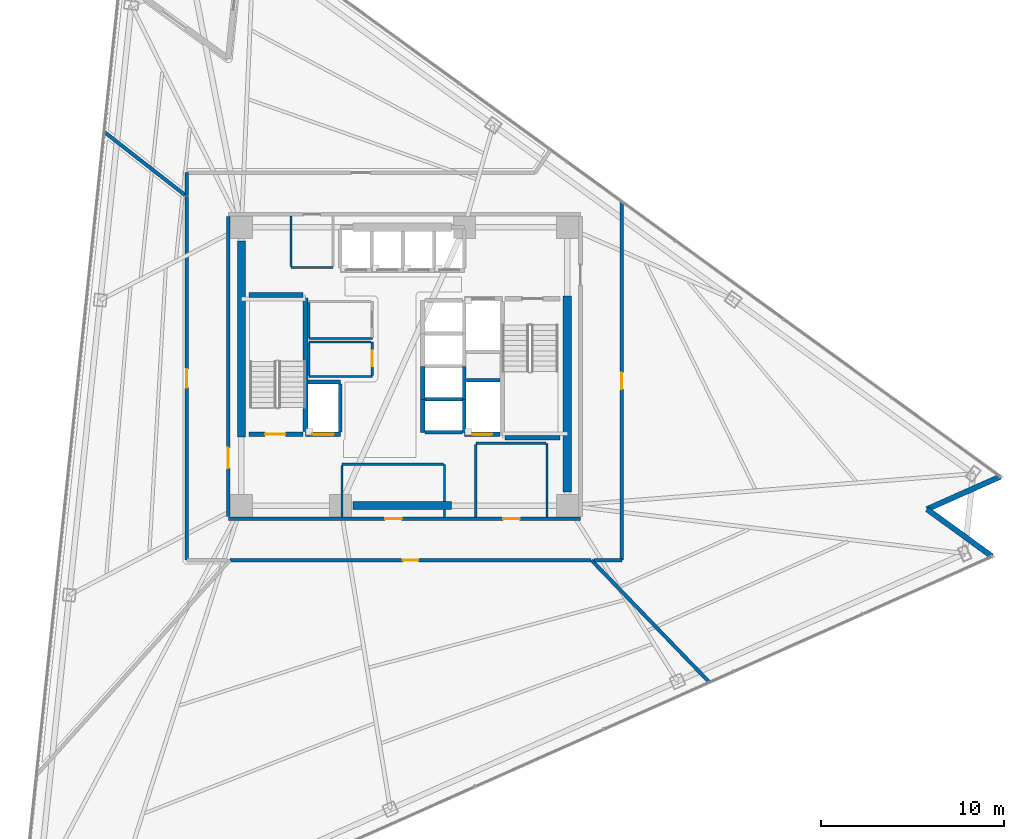
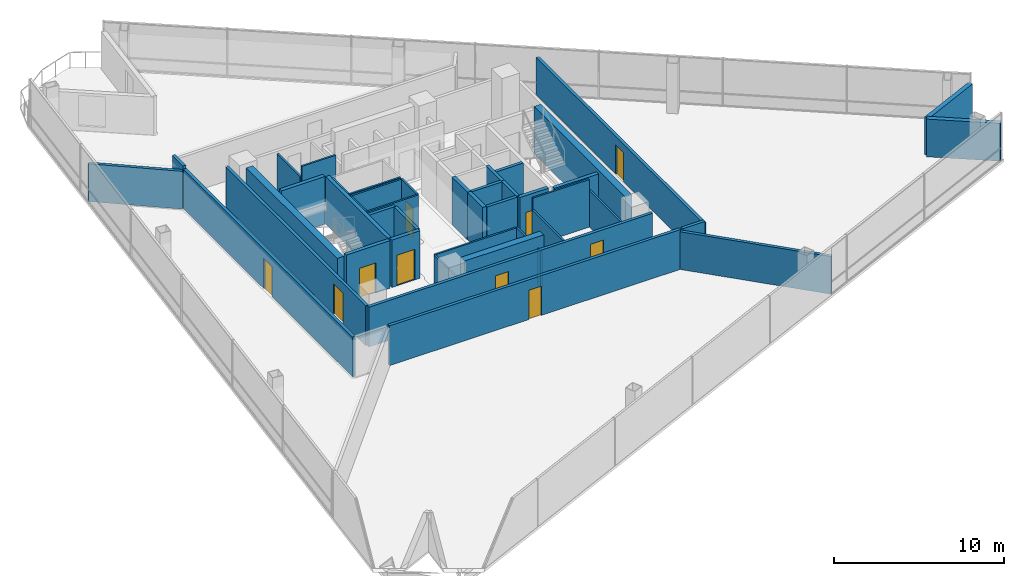
# One storey, part 11 of 16: 44 walls, 10 doors, 10 openings.
"""IFC4 building model written with IfcOpenShell, lengths in metres."""

from ifc_helpers import new_model, si_unit, direction, frame, frame_2d, origin, place, context, subcontext, project, spatial, rectangle, extrude, material, layer, layer_set, type_object, element, fill, save


model = new_model("IFC4")

# Units and contexts
model_context = context("Model", 3, precision=1e-05, world=origin(), true_north=direction((0.0, 1.0)))
body_context = subcontext(model_context, "Body", "Model", "MODEL_VIEW")
ifc_project = project(units=[si_unit("LENGTHUNIT", "METRE"), si_unit("AREAUNIT", "SQUARE_METRE"), si_unit("VOLUMEUNIT", "CUBIC_METRE"), si_unit("PLANEANGLEUNIT", "RADIAN"), si_unit("MASSUNIT", "GRAM", prefix="KILO")], contexts=[model_context])

# Site, building, storey
site_placement = place(None, origin())
site = spatial("IfcSite", under=ifc_project, at=site_placement, CompositionType="ELEMENT")
building_placement = place(site_placement, origin())
building = spatial("IfcBuilding", under=site, at=building_placement, Name="Tharavind Bronze Gate", CompositionType="ELEMENT")
storey_placement = place(building_placement, frame((0.0, 0.0, 123.25)))
storey = spatial("IfcBuildingStorey", under=building, at=storey_placement, Name="L31", CompositionType="ELEMENT", Elevation=123.25)

# Walls
ifc_material_1 = material(Name="Concrete C40/50", Category="concrete")
ifc_layer_1 = layer(ifc_material_1, 0.300048828125)
ifc_layer_set_1 = layer_set([ifc_layer_1], Name="Concrete C40/50")
wall_type_1 = type_object("IfcWallType", Name="EXTERIOR SPANDREL WALL 300", PredefinedType="STANDARD", material=ifc_layer_set_1)
for number, where, z_axis, x_axis, name in (
    (1, (32.099853515625, -10.3759765625, 0.0), (0.0, 0.0, 1.0), (-0.809018008275, 0.587783856777, 0.0), "L31 notch cheek wall 3A"),
    (2, (28.556396484375, -7.801513671875, 0.0), (0.0, 0.0, 1.0), (0.913542411385, 0.406743485013, 0.0), "L31 notch cheek wall 3B"),
):
    element("IfcWall", number, at=place(storey_placement, frame(where, z_axis=z_axis, x_axis=x_axis)), inside=storey, type_object=wall_type_1, Name=name, PredefinedType="STANDARD", context=body_context, shape_type="SweptSolid", body=[
        extrude(rectangle(XDim=4.3798828125, YDim=0.300048828125, at=frame_2d((2.18994140625, 0.0))), origin(), (0.0, 0.0, 1.0), 2.705078125),
    ])

# Wall, openings, doors
ifc_material_2 = material(Name="Aerated Concrete Block", Category="concrete")
ifc_layer_2 = layer(ifc_material_2, 0.199951171875)
ifc_layer_set_2 = layer_set([ifc_layer_2], Name="Aerated Concrete Block")
wall_type_2 = type_object("IfcWallType", Name="FIRE RATED PARTITION 200", PredefinedType="PARTITIONING", material=ifc_layer_set_2)
wall_1_placement = place(storey_placement, frame((-9.6201171875, -8.320068359375, 0.0), z_axis=(0.0, 0.0, 1.0), x_axis=(1.0, 0.0, 0.0)))
wall_1 = element("IfcWall", 3, at=wall_1_placement, inside=storey, type_object=wall_type_2, Name="L31 south core corridor wall", PredefinedType="PARTITIONING", context=body_context, shape_type="SweptSolid", body=[
    extrude(rectangle(XDim=19.240234375, YDim=0.199951171875, at=frame_2d((9.6201171875, 0.0))), origin(), (0.0, 0.0, 1.0), 2.85498046875),
])
opening_1_placement = place(wall_1_placement, frame((8.570068359375, 0.0, 0.0)))
opening_1 = element("IfcOpeningElement", 4, at=opening_1_placement, cuts=wall_1, Name="Opening ID07", PredefinedType="OPENING", context=body_context, shape_type="SweptSolid", body=[
    extrude(rectangle(XDim=0.89990234375, YDim=2.10009765625, at=frame_2d((0.449951171875, 1.050048828125))), frame((0.0, 0.11009765625, 0.0), z_axis=(0.0, -1.0, 0.0), x_axis=(1.0, 0.0, 0.0)), (0.0, 0.0, 1.0), 0.219951171875),
])
opening_2_placement = place(wall_1_placement, frame((15.02001953125, 0.0, 0.0)))
opening_2 = element("IfcOpeningElement", 5, at=opening_2_placement, cuts=wall_1, Name="Opening ID07", PredefinedType="OPENING", context=body_context, shape_type="SweptSolid", body=[
    extrude(rectangle(XDim=0.89990234375, YDim=2.10009765625, at=frame_2d((0.449951171875, 1.050048828125))), frame((0.0, 0.11009765625, 0.0), z_axis=(0.0, -1.0, 0.0), x_axis=(1.0, 0.0, 0.0)), (0.0, 0.0, 1.0), 0.219951171875),
])
ifc_material_3 = material(Name="Galvanised Fire Steel", Category="steel")
door_type_1 = type_object("IfcDoorType", Name="PLANT AND RISER FIRE DOOR 900X2100", OperationType="SINGLE_SWING_LEFT", PredefinedType="DOOR", material=ifc_material_3)
door_1_placement = place(opening_1_placement, origin())
door_1 = element("IfcDoor", 6, at=door_1_placement, inside=storey, type_object=door_type_1, Name="L31 Core BMS Control Room fire door", OperationType="SINGLE_SWING_LEFT", OverallHeight=2.10009765625, OverallWidth=0.89990234375, PredefinedType="DOOR", context=body_context, shape_type="SweptSolid", body=[
    extrude(rectangle(XDim=0.89990234375, YDim=2.10009765625, at=frame_2d((0.449951171875, 1.050048828125))), frame((0.0, 0.02490234375, 0.0), z_axis=(0.0, -1.0, 0.0), x_axis=(1.0, 0.0, 0.0)), (0.0, 0.0, 1.0), 0.050048828125),
])
fill(opening_1, door_1)
door_2_placement = place(opening_2_placement, origin())
door_2 = element("IfcDoor", 7, at=door_2_placement, inside=storey, type_object=door_type_1, Name="L31 Telecom Metering Room fire door", OperationType="SINGLE_SWING_LEFT", OverallHeight=2.10009765625, OverallWidth=0.89990234375, PredefinedType="DOOR", context=body_context, shape_type="SweptSolid", body=[
    extrude(rectangle(XDim=0.89990234375, YDim=2.10009765625, at=frame_2d((0.449951171875, 1.050048828125))), frame((0.0, 0.02490234375, 0.0), z_axis=(0.0, -1.0, 0.0), x_axis=(1.0, 0.0, 0.0)), (0.0, 0.0, 1.0), 0.050048828125),
])
fill(opening_2, door_2)

# Wall, opening, door
wall_2_placement = place(storey_placement, frame((-9.6201171875, 8.199951171875, 0.0), z_axis=(0.0, 0.0, 1.0), x_axis=(0.0, -1.0, 0.0)))
wall_2 = element("IfcWall", 8, at=wall_2_placement, inside=storey, type_object=wall_type_2, Name="L31 west core corridor wall", PredefinedType="PARTITIONING", context=body_context, shape_type="SweptSolid", body=[
    extrude(rectangle(XDim=16.39990234375, YDim=0.199951171875, at=frame_2d((8.199951171875, 0.0))), origin(), (0.0, 0.0, 1.0), 2.85498046875),
])
opening_3_placement = place(wall_2_placement, frame((12.64990234375, 0.0, 0.0)))
opening_3 = element("IfcOpeningElement", 9, at=opening_3_placement, cuts=wall_2, Name="Opening ID01", PredefinedType="OPENING", context=body_context, shape_type="SweptSolid", body=[
    extrude(rectangle(XDim=1.10009765625, YDim=2.14990234375, at=frame_2d((0.550048828125, 1.074951171875))), frame((0.0, 0.11009765625, 0.0), z_axis=(0.0, -1.0, 0.0), x_axis=(1.0, 0.0, 0.0)), (0.0, 0.0, 1.0), 0.219951171875),
])
ifc_material_4 = material(Name="Fire-Rated Steel", Category="steel")
door_type_2 = type_object("IfcDoorType", Name="STAIR CORE FIRE DOOR 1100X2150", OperationType="SINGLE_SWING_LEFT", PredefinedType="DOOR", material=ifc_material_4)
door_3_placement = place(opening_3_placement, frame((1.10009765625, 0.0, 0.0), z_axis=(0.0, 0.0, 1.0), x_axis=(-1.0, 0.0, 0.0)))
door_3 = element("IfcDoor", 10, at=door_3_placement, inside=storey, type_object=door_type_2, Name="L31 south west stair lobby fire door", OperationType="SINGLE_SWING_LEFT", OverallHeight=2.14990234375, OverallWidth=1.10009765625, PredefinedType="DOOR", context=body_context, shape_type="SweptSolid", body=[
    extrude(rectangle(XDim=1.10009765625, YDim=2.14990234375, at=frame_2d((0.550048828125, 1.074951171875))), frame((0.0, 0.02490234375, 0.0), z_axis=(0.0, -1.0, 0.0), x_axis=(1.0, 0.0, 0.0)), (0.0, 0.0, 1.0), 0.050048828125),
])
fill(opening_3, door_3)

wall_3_placement = place(storey_placement, frame((-9.51513671875, -10.580078125, 0.0), z_axis=(0.0, 0.0, 1.0), x_axis=(1.0, 0.0, 0.0)))
wall_3 = element("IfcWall", 11, at=wall_3_placement, inside=storey, type_object=wall_type_2, Name="L31 Public Restrooms Block partition", PredefinedType="PARTITIONING", context=body_context, shape_type="SweptSolid", body=[
    extrude(rectangle(XDim=19.721435546875, YDim=0.199951171875, at=frame_2d((9.86083984375, 0.0))), origin(), (0.0, 0.0, 1.0), 2.85498046875),
])
opening_4_placement = place(wall_3_placement, frame((9.43603515625, 0.0, 0.0)))
opening_4 = element("IfcOpeningElement", 12, at=opening_4_placement, cuts=wall_3, Name="Opening ID06", PredefinedType="OPENING", context=body_context, shape_type="SweptSolid", body=[
    extrude(rectangle(XDim=0.85009765625, YDim=2.10009765625, at=frame_2d((0.425048828125, 1.050048828125))), frame((0.0, 0.11009765625, 0.0), z_axis=(0.0, -1.0, 0.0), x_axis=(1.0, 0.0, 0.0)), (0.0, 0.0, 1.0), 0.219951171875),
])
ifc_material_5 = material(Name="Moisture-Resistant Timber", Category="wood")
door_type_3 = type_object("IfcDoorType", Name="BATHROOM PRIVACY DOOR 850X2100", OperationType="SINGLE_SWING_RIGHT", PredefinedType="DOOR", material=ifc_material_5)
door_4_placement = place(opening_4_placement, origin())
door_4 = element("IfcDoor", 13, at=door_4_placement, inside=storey, type_object=door_type_3, Name="L31 Public Restrooms Block door", OperationType="SINGLE_SWING_RIGHT", OverallHeight=2.10009765625, OverallWidth=0.85009765625, PredefinedType="DOOR", context=body_context, shape_type="SweptSolid", body=[
    extrude(rectangle(XDim=0.85009765625, YDim=2.10009765625, at=frame_2d((0.425048828125, 1.050048828125))), frame((0.0, 0.02490234375, 0.0), z_axis=(0.0, -1.0, 0.0), x_axis=(1.0, 0.0, 0.0)), (0.0, 0.0, 1.0), 0.050048828125),
])
fill(opening_4, door_4)

# Walls
wall_4_placement = place(storey_placement, frame((10.224365234375, -10.587646484375, 0.0), z_axis=(0.0, 0.0, 1.0), x_axis=(0.694650486702, -0.719347413511, 0.0)))
element("IfcWall", 14, at=wall_4_placement, inside=storey, type_object=wall_type_2, Name="L31 Public Restrooms Block partition", PredefinedType="PARTITIONING", context=body_context, shape_type="SweptSolid", body=[
    extrude(rectangle(XDim=9.2626953125, YDim=0.199951171875, at=frame_2d((4.63134765625, 0.0))), origin(), (0.0, 0.0, 1.0), 2.705078125),
])
wall_5_placement = place(storey_placement, frame((-11.8798828125, 10.579345703125, 0.0), z_axis=(0.0, 0.0, 1.0), x_axis=(0.0, -1.0, 0.0)))
element("IfcWall", 15, at=wall_5_placement, inside=storey, type_object=wall_type_2, Name="L31 Innovation Maker Lab partition", PredefinedType="PARTITIONING", context=body_context, shape_type="SweptSolid", body=[
    extrude(rectangle(XDim=1.246337890625, YDim=0.199951171875, at=frame_2d((0.623046875, 0.0))), origin(), (0.0, 0.0, 1.0), 3.044921875),
])
wall_6_placement = place(storey_placement, frame((-11.985107421875, 9.36376953125, 0.0), z_axis=(0.0, 0.0, 1.0), x_axis=(-0.788004499682, 0.6156694799, 0.0)))
element("IfcWall", 16, at=wall_6_placement, inside=storey, type_object=wall_type_2, Name="L31 Innovation Maker Lab partition", PredefinedType="PARTITIONING", context=body_context, shape_type="SweptSolid", body=[
    extrude(rectangle(XDim=5.58740234375, YDim=0.199951171875, at=frame_2d((2.793701171875, 0.0))), origin(), (0.0, 0.0, 1.0), 2.705078125),
])

# Wall, opening, door
wall_7_placement = place(storey_placement, frame((-11.8798828125, 9.26953125, 0.0), z_axis=(0.0, 0.0, 1.0), x_axis=(0.0, -1.0, 0.0)))
wall_7 = element("IfcWall", 17, at=wall_7_placement, inside=storey, type_object=wall_type_2, Name="L31 Robotics Engineering Studio partition", PredefinedType="PARTITIONING", context=body_context, shape_type="SweptSolid", body=[
    extrude(rectangle(XDim=19.848876953125, YDim=0.199951171875, at=frame_2d((9.92431640625, 0.0))), origin(), (0.0, 0.0, 1.0), 2.85498046875),
])
opening_5_placement = place(wall_7_placement, frame((9.424072265625, 0.0, 0.0)))
opening_5 = element("IfcOpeningElement", 18, at=opening_5_placement, cuts=wall_7, Name="Opening ID04", PredefinedType="OPENING", context=body_context, shape_type="SweptSolid", body=[
    extrude(rectangle(XDim=1.0, YDim=2.14990234375, at=frame_2d((0.5, 1.074951171875))), frame((0.0, 0.11009765625, 0.0), z_axis=(0.0, -1.0, 0.0), x_axis=(1.0, 0.0, 0.0)), (0.0, 0.0, 1.0), 0.219951171875),
])
ifc_material_6 = material(Name="Bronze Framed Acoustic Timber", Category="wood")
door_type_4 = type_object("IfcDoorType", Name="OFFICE TENANCY DOOR 1000X2150", OperationType="SINGLE_SWING_RIGHT", PredefinedType="DOOR", material=ifc_material_6)
door_5_placement = place(opening_5_placement, origin())
door_5 = element("IfcDoor", 19, at=door_5_placement, inside=storey, type_object=door_type_4, Name="L31 Robotics Engineering Studio door", OperationType="SINGLE_SWING_RIGHT", OverallHeight=2.14990234375, OverallWidth=1.0, PredefinedType="DOOR", context=body_context, shape_type="SweptSolid", body=[
    extrude(rectangle(XDim=1.0, YDim=2.14990234375, at=frame_2d((0.5, 1.074951171875))), frame((0.0, 0.02490234375, 0.0), z_axis=(0.0, -1.0, 0.0), x_axis=(1.0, 0.0, 0.0)), (0.0, 0.0, 1.0), 0.050048828125),
])
fill(opening_5, door_5)

wall_8_placement = place(storey_placement, frame((11.8798828125, -10.579345703125, 0.0), z_axis=(0.0, 0.0, 1.0), x_axis=(0.0, 1.0, 0.0)))
wall_8 = element("IfcWall", 20, at=wall_8_placement, inside=storey, type_object=wall_type_2, Name="L31 Barista Tea Pantry partition", PredefinedType="PARTITIONING", context=body_context, shape_type="SweptSolid", body=[
    extrude(rectangle(XDim=19.582763671875, YDim=0.199951171875, at=frame_2d((9.79150390625, 0.0))), origin(), (0.0, 0.0, 1.0), 2.705078125),
])
opening_6_placement = place(wall_8_placement, frame((9.341064453125, 0.0, 0.0)))
opening_6 = element("IfcOpeningElement", 21, at=opening_6_placement, cuts=wall_8, Name="Opening ID07", PredefinedType="OPENING", context=body_context, shape_type="SweptSolid", body=[
    extrude(rectangle(XDim=0.89990234375, YDim=2.10009765625, at=frame_2d((0.449951171875, 1.050048828125))), frame((0.0, 0.11009765625, 0.0), z_axis=(0.0, -1.0, 0.0), x_axis=(1.0, 0.0, 0.0)), (0.0, 0.0, 1.0), 0.219951171875),
])
door_6_placement = place(opening_6_placement, origin())
door_6 = element("IfcDoor", 22, at=door_6_placement, inside=storey, type_object=door_type_1, Name="L31 Barista Tea Pantry door", OperationType="SINGLE_SWING_LEFT", OverallHeight=2.10009765625, OverallWidth=0.89990234375, PredefinedType="DOOR", context=body_context, shape_type="SweptSolid", body=[
    extrude(rectangle(XDim=0.89990234375, YDim=2.10009765625, at=frame_2d((0.449951171875, 1.050048828125))), frame((0.0, 0.02490234375, 0.0), z_axis=(0.0, -1.0, 0.0), x_axis=(1.0, 0.0, 0.0)), (0.0, 0.0, 1.0), 0.050048828125),
])
fill(opening_6, door_6)

# Walls
wall_9_placement = place(storey_placement, frame((10.363037109375, -10.580078125, 0.0), z_axis=(0.0, 0.0, 1.0), x_axis=(1.0, 0.0, 0.0)))
element("IfcWall", 23, at=wall_9_placement, inside=storey, type_object=wall_type_2, Name="L31 Barista Tea Pantry partition", PredefinedType="PARTITIONING", context=body_context, shape_type="SweptSolid", body=[
    extrude(rectangle(XDim=1.516357421875, YDim=0.199951171875, at=frame_2d((0.75830078125, 0.0))), origin(), (0.0, 0.0, 1.0), 2.85498046875),
])
ifc_material_7 = material(Name="Metal Stud Gypsum Partition", Category="gypsum")
ifc_layer_3 = layer(ifc_material_7, 0.1201171875)
ifc_layer_set_3 = layer_set([ifc_layer_3], Name="Metal Stud Gypsum Partition")
wall_type_3 = type_object("IfcWallType", Name="INTERIOR PARTITION WALL 120", PredefinedType="PARTITIONING", material=ifc_layer_set_3)
wall_10_placement = place(storey_placement, frame((-5.219970703125, 1.52001953125, 0.0), z_axis=(0.0, 0.0, 1.0), x_axis=(1.0, 0.0, 0.0)))
element("IfcWall", 24, at=wall_10_placement, inside=storey, type_object=wall_type_3, Name="L31 Cleaner Store Room partition 1", PredefinedType="PARTITIONING", context=body_context, shape_type="SweptSolid", body=[
    extrude(rectangle(XDim=3.469970703125, YDim=0.1201171875, at=frame_2d((1.73486328125, 0.0))), origin(), (0.0, 0.0, 1.0), 3.409912109375),
])
wall_11_placement = place(storey_placement, frame((-5.219970703125, 3.485107421875, 0.0), z_axis=(0.0, 0.0, 1.0), x_axis=(0.0, -1.0, 0.0)))
element("IfcWall", 25, at=wall_11_placement, inside=storey, type_object=wall_type_3, Name="L31 Cleaner Store Room partition 4", PredefinedType="PARTITIONING", context=body_context, shape_type="SweptSolid", body=[
    extrude(rectangle(XDim=1.900146484375, YDim=0.1201171875, at=frame_2d((0.9501953125, 0.0))), origin(), (0.0, 0.0, 1.0), 3.409912109375),
])
wall_12_placement = place(storey_placement, frame((-5.219970703125, -0.550048828125, 0.0), z_axis=(0.0, 0.0, 1.0), x_axis=(1.0, 0.0, 0.0)))
element("IfcWall", 26, at=wall_12_placement, inside=storey, type_object=wall_type_3, Name="L31 Electrical Switch Room partition 1", PredefinedType="PARTITIONING", context=body_context, shape_type="SweptSolid", body=[
    extrude(rectangle(XDim=3.469970703125, YDim=0.1201171875, at=frame_2d((1.73486328125, 0.0))), origin(), (0.0, 0.0, 1.0), 3.409912109375),
])

# Wall, opening, door
wall_13_placement = place(storey_placement, frame((-1.75, -0.485107421875, 0.0), z_axis=(0.0, 0.0, 1.0), x_axis=(0.0, 1.0, 0.0)))
wall_13 = element("IfcWall", 27, at=wall_13_placement, inside=storey, type_object=wall_type_3, Name="L31 Electrical Switch Room partition 2", PredefinedType="PARTITIONING", context=body_context, shape_type="SweptSolid", body=[
    extrude(rectangle(XDim=1.8251953125, YDim=0.1201171875, at=frame_2d((0.91259765625, 0.0))), origin(), (0.0, 0.0, 1.0), 3.409912109375),
])
opening_7_placement = place(wall_13_placement, frame((0.488037109375, 0.0, 0.0)))
opening_7 = element("IfcOpeningElement", 28, at=opening_7_placement, cuts=wall_13, Name="Opening ID06", PredefinedType="OPENING", context=body_context, shape_type="SweptSolid", body=[
    extrude(rectangle(XDim=0.85009765625, YDim=2.10009765625, at=frame_2d((0.425048828125, 1.050048828125))), frame((0.0, 0.07005859375, 0.0), z_axis=(0.0, -1.0, 0.0), x_axis=(1.0, 0.0, 0.0)), (0.0, 0.0, 1.0), 0.1401171875),
])
door_7_placement = place(opening_7_placement, frame((0.85009765625, 0.0, 0.0), z_axis=(0.0, 0.0, 1.0), x_axis=(-1.0, 0.0, 0.0)))
door_7 = element("IfcDoor", 29, at=door_7_placement, inside=storey, type_object=door_type_3, Name="L31 Electrical Switch Room door", OperationType="SINGLE_SWING_RIGHT", OverallHeight=2.10009765625, OverallWidth=0.85009765625, PredefinedType="DOOR", context=body_context, shape_type="SweptSolid", body=[
    extrude(rectangle(XDim=0.85009765625, YDim=2.10009765625, at=frame_2d((0.425048828125, 1.050048828125))), frame((0.0, 0.02490234375, 0.0), z_axis=(0.0, -1.0, 0.0), x_axis=(1.0, 0.0, 0.0)), (0.0, 0.0, 1.0), 0.050048828125),
])
fill(opening_7, door_7)

# Walls
wall_14_placement = place(storey_placement, frame((-1.81494140625, 1.340087890625, 0.0), z_axis=(0.0, 0.0, 1.0), x_axis=(-1.0, 0.0, 0.0)))
element("IfcWall", 30, at=wall_14_placement, inside=storey, type_object=wall_type_3, Name="L31 Electrical Switch Room partition 3", PredefinedType="PARTITIONING", context=body_context, shape_type="SweptSolid", body=[
    extrude(rectangle(XDim=3.405029296875, YDim=0.1201171875, at=frame_2d((1.70263671875, 0.0))), origin(), (0.0, 0.0, 1.0), 3.409912109375),
])
wall_15_placement = place(storey_placement, frame((-5.219970703125, 1.27490234375, 0.0), z_axis=(0.0, 0.0, 1.0), x_axis=(0.0, -1.0, 0.0)))
element("IfcWall", 31, at=wall_15_placement, inside=storey, type_object=wall_type_3, Name="L31 Electrical Switch Room partition 4", PredefinedType="PARTITIONING", context=body_context, shape_type="SweptSolid", body=[
    extrude(rectangle(XDim=1.760009765625, YDim=0.1201171875, at=frame_2d((0.8798828125, 0.0))), origin(), (0.0, 0.0, 1.0), 3.409912109375),
])
wall_16_placement = place(storey_placement, frame((2.199951171875, -8.215087890625, 0.0), z_axis=(0.0, 0.0, 1.0), x_axis=(0.0, 1.0, 0.0)))
element("IfcWall", 32, at=wall_16_placement, inside=storey, type_object=wall_type_3, Name="L31 Core BMS Control Room partition 2", PredefinedType="PARTITIONING", context=body_context, shape_type="SweptSolid", body=[
    extrude(rectangle(XDim=0.385009765625, YDim=0.1201171875, at=frame_2d((0.1923828125, 0.0))), origin(), (0.0, 0.0, 1.0), 2.60498046875),
])
wall_17_placement = place(storey_placement, frame((2.199951171875, -7.3701171875, 0.0), z_axis=(0.0, 0.0, 1.0), x_axis=(0.0, 1.0, 0.0)))
element("IfcWall", 33, at=wall_17_placement, inside=storey, type_object=wall_type_3, Name="L31 Core BMS Control Room partition 2", PredefinedType="PARTITIONING", context=body_context, shape_type="SweptSolid", body=[
    extrude(rectangle(XDim=2.02001953125, YDim=0.1201171875, at=frame_2d((1.010009765625, 0.0))), origin(), (0.0, 0.0, 1.0), 2.60498046875),
])
wall_18_placement = place(storey_placement, frame((2.135009765625, -5.35009765625, 0.0), z_axis=(0.0, 0.0, 1.0), x_axis=(-1.0, 0.0, 0.0)))
element("IfcWall", 34, at=wall_18_placement, inside=storey, type_object=wall_type_3, Name="L31 Core BMS Control Room partition 3", PredefinedType="PARTITIONING", context=body_context, shape_type="SweptSolid", body=[
    extrude(rectangle(XDim=5.534912109375, YDim=0.1201171875, at=frame_2d((2.767578125, 0.0))), origin(), (0.0, 0.0, 1.0), 2.60498046875),
])
wall_19_placement = place(storey_placement, frame((-3.39990234375, -5.4150390625, 0.0), z_axis=(0.0, 0.0, 1.0), x_axis=(0.0, -1.0, 0.0)))
element("IfcWall", 35, at=wall_19_placement, inside=storey, type_object=wall_type_3, Name="L31 Core BMS Control Room partition 4", PredefinedType="PARTITIONING", context=body_context, shape_type="SweptSolid", body=[
    extrude(rectangle(XDim=2.800048828125, YDim=0.1201171875, at=frame_2d((1.39990234375, 0.0))), origin(), (0.0, 0.0, 1.0), 2.60498046875),
])
wall_20_placement = place(storey_placement, frame((-6.199951171875, 5.39990234375, 0.0), z_axis=(0.0, 0.0, 1.0), x_axis=(1.0, 0.0, 0.0)))
element("IfcWall", 36, at=wall_20_placement, inside=storey, type_object=wall_type_3, Name="L31 Electrical Switch Cupboard partition 1", PredefinedType="PARTITIONING", context=body_context, shape_type="SweptSolid", body=[
    extrude(rectangle(XDim=2.300048828125, YDim=0.1201171875, at=frame_2d((1.14990234375, 0.0))), origin(), (0.0, 0.0, 1.0), 3.409912109375),
])
wall_21_placement = place(storey_placement, frame((-6.199951171875, 8.215087890625, 0.0), z_axis=(0.0, 0.0, 1.0), x_axis=(0.0, -1.0, 0.0)))
element("IfcWall", 37, at=wall_21_placement, inside=storey, type_object=wall_type_3, Name="L31 Electrical Switch Cupboard partition 4", PredefinedType="PARTITIONING", context=body_context, shape_type="SweptSolid", body=[
    extrude(rectangle(XDim=2.75, YDim=0.1201171875, at=frame_2d((1.375, 0.0))), origin(), (0.0, 0.0, 1.0), 2.60498046875),
])
wall_22_placement = place(storey_placement, frame((7.800048828125, -8.215087890625, 0.0), z_axis=(0.0, 0.0, 1.0), x_axis=(0.0, 1.0, 0.0)))
element("IfcWall", 38, at=wall_22_placement, inside=storey, type_object=wall_type_3, Name="L31 Telecom Metering Room partition 2", PredefinedType="PARTITIONING", context=body_context, shape_type="SweptSolid", body=[
    extrude(rectangle(XDim=4.01513671875, YDim=0.1201171875, at=frame_2d((2.007568359375, 0.0))), origin(), (0.0, 0.0, 1.0), 2.60498046875),
])
wall_23_placement = place(storey_placement, frame((7.735107421875, -4.199951171875, 0.0), z_axis=(0.0, 0.0, 1.0), x_axis=(-1.0, 0.0, 0.0)))
element("IfcWall", 39, at=wall_23_placement, inside=storey, type_object=wall_type_3, Name="L31 Telecom Metering Room partition 3", PredefinedType="PARTITIONING", context=body_context, shape_type="SweptSolid", body=[
    extrude(rectangle(XDim=3.835205078125, YDim=0.1201171875, at=frame_2d((1.91748046875, 0.0))), origin(), (0.0, 0.0, 1.0), 3.409912109375),
])
wall_24_placement = place(storey_placement, frame((3.89990234375, -4.264892578125, 0.0), z_axis=(0.0, 0.0, 1.0), x_axis=(0.0, -1.0, 0.0)))
element("IfcWall", 40, at=wall_24_placement, inside=storey, type_object=wall_type_3, Name="L31 Telecom Metering Room partition 4", PredefinedType="PARTITIONING", context=body_context, shape_type="SweptSolid", body=[
    extrude(rectangle(XDim=3.9501953125, YDim=0.1201171875, at=frame_2d((1.97509765625, 0.0))), origin(), (0.0, 0.0, 1.0), 2.60498046875),
])
ifc_material_8 = material(Name="Concrete C50/60", Category="concrete")
ifc_layer_4 = layer(ifc_material_8, 0.25)
ifc_layer_set_4 = layer_set([ifc_layer_4], Name="Concrete C50/60")
wall_type_4 = type_object("IfcWallType", Name="RC CORE SHEAR WALL 250", PredefinedType="SHEAR", material=ifc_layer_set_4)
wall_25_placement = place(storey_placement, frame((-5.39990234375, -3.550048828125, 0.0), z_axis=(0.0, 0.0, 1.0), x_axis=(0.0, 1.0, 0.0)))
element("IfcWall", 41, at=wall_25_placement, inside=storey, type_object=wall_type_4, Name="L31 ST1 shaft east wall", PredefinedType="SHEAR", context=body_context, shape_type="SweptSolid", body=[
    extrude(rectangle(XDim=7.300048828125, YDim=0.25, at=frame_2d((3.64990234375, 0.0))), origin(), (0.0, 0.0, 1.0), 3.409912109375),
])

# Wall, opening, door
wall_26_placement = place(storey_placement, frame((-8.5, -3.699951171875, 0.0), z_axis=(0.0, 0.0, 1.0), x_axis=(1.0, 0.0, 0.0)))
wall_26 = element("IfcWall", 42, at=wall_26_placement, inside=storey, type_object=wall_type_4, Name="L31 ST1 shaft south wall", PredefinedType="SHEAR", context=body_context, shape_type="SweptSolid", body=[
    extrude(rectangle(XDim=2.949951171875, YDim=0.25, at=frame_2d((1.47509765625, 0.0))), origin(), (0.0, 0.0, 1.0), 3.409912109375),
])
opening_8_placement = place(wall_26_placement, frame((0.89990234375, 0.0, 0.0)))
opening_8 = element("IfcOpeningElement", 43, at=opening_8_placement, cuts=wall_26, Name="Opening ID01", PredefinedType="OPENING", context=body_context, shape_type="SweptSolid", body=[
    extrude(rectangle(XDim=1.10009765625, YDim=2.14990234375, at=frame_2d((0.550048828125, 1.074951171875))), frame((0.0, 0.135, 0.0), z_axis=(0.0, -1.0, 0.0), x_axis=(1.0, 0.0, 0.0)), (0.0, 0.0, 1.0), 0.27),
])
door_8_placement = place(opening_8_placement, origin())
door_8 = element("IfcDoor", 44, at=door_8_placement, inside=storey, type_object=door_type_2, Name="L31 exit stair ST1 fire door", OperationType="SINGLE_SWING_LEFT", OverallHeight=2.14990234375, OverallWidth=1.10009765625, PredefinedType="DOOR", context=body_context, shape_type="SweptSolid", body=[
    extrude(rectangle(XDim=1.10009765625, YDim=2.14990234375, at=frame_2d((0.550048828125, 1.074951171875))), frame((0.0, 0.02490234375, 0.0), z_axis=(0.0, -1.0, 0.0), x_axis=(1.0, 0.0, 0.0)), (0.0, 0.0, 1.0), 0.050048828125),
])
fill(opening_8, door_8)

# Walls
wall_27_placement = place(storey_placement, frame((-8.5, 3.89990234375, 0.0), z_axis=(0.0, 0.0, 1.0), x_axis=(1.0, 0.0, 0.0)))
element("IfcWall", 45, at=wall_27_placement, inside=storey, type_object=wall_type_4, Name="L31 ST1 shaft north wall", PredefinedType="SHEAR", context=body_context, shape_type="SweptSolid", body=[
    extrude(rectangle(XDim=2.949951171875, YDim=0.25, at=frame_2d((1.47509765625, 0.0))), origin(), (0.0, 0.0, 1.0), 3.409912109375),
])
wall_28_placement = place(storey_placement, frame((5.5, -3.89990234375, 0.0), z_axis=(0.0, 0.0, 1.0), x_axis=(1.0, 0.0, 0.0)))
element("IfcWall", 46, at=wall_28_placement, inside=storey, type_object=wall_type_4, Name="L31 ST2 shaft south wall", PredefinedType="SHEAR", context=body_context, shape_type="SweptSolid", body=[
    extrude(rectangle(XDim=3.0, YDim=0.25, at=frame_2d((1.5, 0.0))), origin(), (0.0, 0.0, 1.0), 3.409912109375),
])
for number, where, z_axis, x_axis, name in (
    (47, (1.0, -3.60009765625, 0.0), (0.0, 0.0, 1.0), (0.0, 1.0, 0.0), "L31 lift PL9 shaft front wall"),
    (48, (1.0, -1.800048828125, 0.0), (0.0, 0.0, 1.0), (0.0, 1.0, 0.0), "L31 lift PL10 shaft front wall"),
):
    element("IfcWall", number, at=place(storey_placement, frame(where, z_axis=z_axis, x_axis=x_axis)), inside=storey, type_object=wall_type_4, Name=name, PredefinedType="SHEAR", context=body_context, shape_type="SweptSolid", body=[
        extrude(rectangle(XDim=1.800048828125, YDim=0.25, at=frame_2d((0.89990234375, 0.0))), origin(), (0.0, 0.0, 1.0), 3.409912109375),
    ])

# Wall, opening, door
wall_29_placement = place(storey_placement, frame((-5.39990234375, -3.699951171875, 0.0), z_axis=(0.0, 0.0, 1.0), x_axis=(1.0, 0.0, 0.0)))
wall_29 = element("IfcWall", 49, at=wall_29_placement, inside=storey, type_object=wall_type_4, Name="L31 lift FFL1 shaft front wall", PredefinedType="SHEAR", context=body_context, shape_type="SweptSolid", body=[
    extrude(rectangle(XDim=1.89990234375, YDim=0.25, at=frame_2d((0.949951171875, 0.0))), origin(), (0.0, 0.0, 1.0), 3.409912109375),
])
opening_9_placement = place(wall_29_placement, frame((0.35009765625, 0.0, 0.0)))
opening_9 = element("IfcOpeningElement", 50, at=opening_9_placement, cuts=wall_29, Name="Opening LD02", PredefinedType="OPENING", context=body_context, shape_type="SweptSolid", body=[
    extrude(rectangle(XDim=1.199951171875, YDim=2.199951171875, at=frame_2d((0.60009765625, 1.10009765625))), frame((0.0, 0.135, 0.0), z_axis=(0.0, -1.0, 0.0), x_axis=(1.0, 0.0, 0.0)), (0.0, 0.0, 1.0), 0.27),
])
ifc_material_9 = material(Name="Brushed Stainless Steel", Category="steel")
door_type_5 = type_object("IfcDoorType", Name="FIREFIGHTING LIFT LANDING DOOR 1200X2200", OperationType="SLIDING_TO_RIGHT", PredefinedType="DOOR", material=ifc_material_9)
door_9_placement = place(opening_9_placement, origin())
door_9 = element("IfcDoor", 51, at=door_9_placement, inside=storey, type_object=door_type_5, Name="L31 lift FFL1 sliding landing door", OperationType="SLIDING_TO_RIGHT", OverallHeight=2.199951171875, OverallWidth=1.199951171875, PredefinedType="DOOR", context=body_context, shape_type="SweptSolid", body=[
    extrude(rectangle(XDim=1.199951171875, YDim=2.199951171875, at=frame_2d((0.60009765625, 1.10009765625))), frame((0.0, 0.02490234375, 0.0), z_axis=(0.0, -1.0, 0.0), x_axis=(1.0, 0.0, 0.0)), (0.0, 0.0, 1.0), 0.050048828125),
])
fill(opening_9, door_9)

wall_30_placement = place(storey_placement, frame((3.280029296875, -3.699951171875, 0.0), z_axis=(0.0, 0.0, 1.0), x_axis=(1.0, 0.0, 0.0)))
wall_30 = element("IfcWall", 52, at=wall_30_placement, inside=storey, type_object=wall_type_4, Name="L31 lift SVL1 shaft front wall", PredefinedType="SHEAR", context=body_context, shape_type="SweptSolid", body=[
    extrude(rectangle(XDim=1.93994140625, YDim=0.25, at=frame_2d((0.969970703125, 0.0))), origin(), (0.0, 0.0, 1.0), 3.409912109375),
])
opening_10_placement = place(wall_30_placement, frame((0.419921875, 0.0, 0.0)))
opening_10 = element("IfcOpeningElement", 53, at=opening_10_placement, cuts=wall_30, Name="Opening LD01", PredefinedType="OPENING", context=body_context, shape_type="SweptSolid", body=[
    extrude(rectangle(XDim=1.10009765625, YDim=2.199951171875, at=frame_2d((0.550048828125, 1.10009765625))), frame((0.0, 0.135, 0.0), z_axis=(0.0, -1.0, 0.0), x_axis=(1.0, 0.0, 0.0)), (0.0, 0.0, 1.0), 0.27),
])
ifc_material_10 = material(Name="Brushed Bronze Stainless Steel", Category="steel")
door_type_6 = type_object("IfcDoorType", Name="LIFT LANDING SLIDING DOOR 1100X2200", OperationType="SLIDING_TO_LEFT", PredefinedType="DOOR", material=ifc_material_10)
door_10_placement = place(opening_10_placement, origin())
door_10 = element("IfcDoor", 54, at=door_10_placement, inside=storey, type_object=door_type_6, Name="L31 lift SVL1 sliding landing door", OperationType="SLIDING_TO_LEFT", OverallHeight=2.199951171875, OverallWidth=1.10009765625, PredefinedType="DOOR", context=body_context, shape_type="SweptSolid", body=[
    extrude(rectangle(XDim=1.10009765625, YDim=2.199951171875, at=frame_2d((0.550048828125, 1.10009765625))), frame((0.0, 0.02490234375, 0.0), z_axis=(0.0, -1.0, 0.0), x_axis=(1.0, 0.0, 0.0)), (0.0, 0.0, 1.0), 0.050048828125),
])
fill(opening_10, door_10)

# Walls
ifc_material_11 = material(Name="Concrete C60/75", Category="concrete")
ifc_layer_5 = layer(ifc_material_11, 0.449951171875)
ifc_layer_set_5 = layer_set([ifc_layer_5], Name="Concrete C60/75")
wall_type_5 = type_object("IfcWallType", Name="RC CORE SHEAR WALL 450", PredefinedType="SHEAR", material=ifc_layer_set_5)
wall_31_placement = place(storey_placement, frame((-2.800048828125, -7.60009765625, 0.0), z_axis=(0.0, 0.0, 1.0), x_axis=(1.0, 0.0, 0.0)))
element("IfcWall", 55, at=wall_31_placement, inside=storey, type_object=wall_type_5, Name="L31 south core shear wall", PredefinedType="SHEAR", context=body_context, shape_type="SweptSolid", body=[
    extrude(rectangle(XDim=5.380126953125, YDim=0.449951171875, at=frame_2d((2.68994140625, 0.0))), origin(), (0.0, 0.0, 1.0), 3.409912109375),
])
for number, where, z_axis, x_axis, name in (
    (56, (-8.89990234375, -3.85009765625, 0.0), (0.0, 0.0, 1.0), (0.0, 1.0, 0.0), "L31 west core shear wall"),
    (57, (8.89990234375, -6.85009765625, 0.0), (0.0, 0.0, 1.0), (0.0, 1.0, 0.0), "L31 east core shear wall"),
):
    element("IfcWall", number, at=place(storey_placement, frame(where, z_axis=z_axis, x_axis=x_axis)), inside=storey, type_object=wall_type_5, Name=name, PredefinedType="SHEAR", context=body_context, shape_type="SweptSolid", body=[
        extrude(rectangle(XDim=10.7001953125, YDim=0.449951171875, at=frame_2d((5.35009765625, 0.0))), origin(), (0.0, 0.0, 1.0), 3.409912109375),
    ])
ifc_layer_6 = layer(ifc_material_1, 0.199951171875)
ifc_layer_set_6 = layer_set([ifc_layer_6], Name="Concrete C40/50")
wall_type_6 = type_object("IfcWallType", Name="SHAFT ENCLOSURE WALL 200", PredefinedType="PARTITIONING", material=ifc_layer_set_6)
wall_32_placement = place(storey_placement, frame((3.280029296875, -3.60009765625, 0.0), z_axis=(0.0, 0.0, 1.0), x_axis=(0.0, 1.0, 0.0)))
element("IfcWall", 58, at=wall_32_placement, inside=storey, type_object=wall_type_6, Name="L31 lift PL9 shaft E enclosure wall", PredefinedType="PARTITIONING", context=body_context, shape_type="SweptSolid", body=[
    extrude(rectangle(XDim=1.800048828125, YDim=0.199951171875, at=frame_2d((0.89990234375, 0.0))), origin(), (0.0, 0.0, 1.0), 3.409912109375),
])
for number, where, z_axis, x_axis, name in (
    (59, (1.1298828125, -3.60009765625, 0.0), (0.0, 0.0, 1.0), (1.0, 0.0, 0.0), "L31 lift PL9 shaft S enclosure wall"),
    (60, (1.1298828125, -1.800048828125, 0.0), (0.0, 0.0, 1.0), (1.0, 0.0, 0.0), "L31 lift PL9 shaft N enclosure wall"),
):
    element("IfcWall", number, at=place(storey_placement, frame(where, z_axis=z_axis, x_axis=x_axis)), inside=storey, type_object=wall_type_6, Name=name, PredefinedType="PARTITIONING", context=body_context, shape_type="SweptSolid", body=[
        extrude(rectangle(XDim=2.045166015625, YDim=0.199951171875, at=frame_2d((1.0224609375, 0.0))), origin(), (0.0, 0.0, 1.0), 3.409912109375),
    ])
wall_33_placement = place(storey_placement, frame((3.280029296875, -1.800048828125, 0.0), z_axis=(0.0, 0.0, 1.0), x_axis=(0.0, 1.0, 0.0)))
element("IfcWall", 61, at=wall_33_placement, inside=storey, type_object=wall_type_6, Name="L31 lift PL10 shaft E enclosure wall", PredefinedType="PARTITIONING", context=body_context, shape_type="SweptSolid", body=[
    extrude(rectangle(XDim=1.800048828125, YDim=0.199951171875, at=frame_2d((0.89990234375, 0.0))), origin(), (0.0, 0.0, 1.0), 3.409912109375),
])
wall_34_placement = place(storey_placement, frame((-5.27001953125, -0.85009765625, 0.0), z_axis=(0.0, 0.0, 1.0), x_axis=(1.0, 0.0, 0.0)))
element("IfcWall", 62, at=wall_34_placement, inside=storey, type_object=wall_type_6, Name="L31 lift FFL1 shaft N enclosure wall", PredefinedType="PARTITIONING", context=body_context, shape_type="SweptSolid", body=[
    extrude(rectangle(XDim=1.77001953125, YDim=0.199951171875, at=frame_2d((0.885009765625, 0.0))), origin(), (0.0, 0.0, 1.0), 3.409912109375),
])
wall_35_placement = place(storey_placement, frame((-3.5, -3.570068359375, 0.0), z_axis=(0.0, 0.0, 1.0), x_axis=(0.0, 1.0, 0.0)))
element("IfcWall", 63, at=wall_35_placement, inside=storey, type_object=wall_type_6, Name="L31 lift FFL1 shaft E enclosure wall", PredefinedType="PARTITIONING", context=body_context, shape_type="SweptSolid", body=[
    extrude(rectangle(XDim=2.614990234375, YDim=0.199951171875, at=frame_2d((1.3076171875, 0.0))), origin(), (0.0, 0.0, 1.0), 3.409912109375),
])
wall_36_placement = place(storey_placement, frame((3.385009765625, -0.75, 0.0), z_axis=(0.0, 0.0, 1.0), x_axis=(1.0, 0.0, 0.0)))
element("IfcWall", 64, at=wall_36_placement, inside=storey, type_object=wall_type_6, Name="L31 lift SVL1 shaft N enclosure wall", PredefinedType="PARTITIONING", context=body_context, shape_type="SweptSolid", body=[
    extrude(rectangle(XDim=1.8349609375, YDim=0.199951171875, at=frame_2d((0.91748046875, 0.0))), origin(), (0.0, 0.0, 1.0), 3.409912109375),
])

save(model, "model.ifc")
